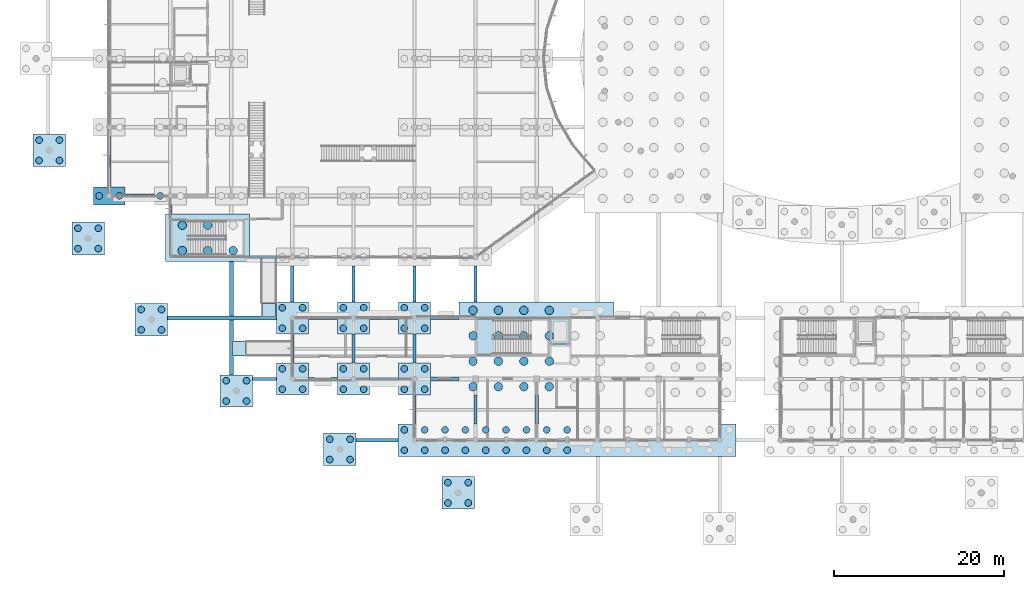
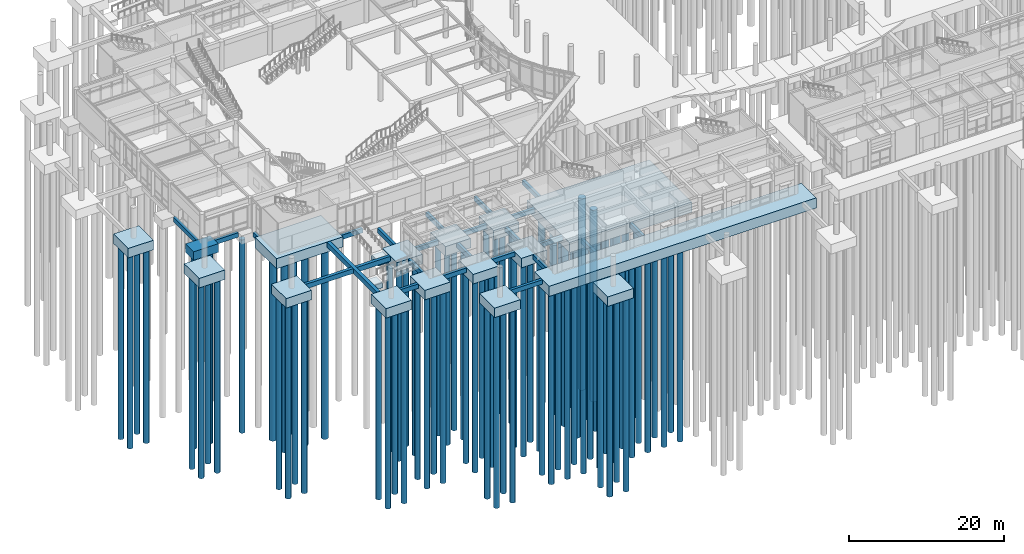
# One storey, part 1 of 103: 90 piles, 42 footings.
"""IFC4 building model written with IfcOpenShell, lengths in metres."""

from ifc_helpers import new_model, si_unit, direction, frame, origin, origin_2d, place, context, subcontext, project, spatial, rectangle, circle, extrude, material, layer, layer_set, material_profile, profile_set, type_object, element, save


model = new_model("IFC4")

# Units and contexts
model_context = context("Model", 3, precision=1e-05, world=origin(), true_north=direction((0.0, 1.0)))
body_context = subcontext(model_context, "Body", "Model", "MODEL_VIEW")
ifc_project = project(units=[si_unit("LENGTHUNIT", "METRE"), si_unit("AREAUNIT", "SQUARE_METRE"), si_unit("VOLUMEUNIT", "CUBIC_METRE"), si_unit("PLANEANGLEUNIT", "RADIAN"), si_unit("MASSUNIT", "GRAM", prefix="KILO")], contexts=[model_context])

# Site, building, storey
site_placement = place(None, origin())
site = spatial("IfcSite", under=ifc_project, at=site_placement, CompositionType="ELEMENT")
building_placement = place(site_placement, origin())
building = spatial("IfcBuilding", under=site, at=building_placement, Name="Namkhue Oval Health Centre", CompositionType="ELEMENT")
storey_placement = place(building_placement, origin())
storey = spatial("IfcBuildingStorey", under=building, at=storey_placement, Name="L00", CompositionType="ELEMENT", Elevation=0.0)

# Footings
ifc_material_1 = material(Name="Reinforced concrete C30/37 (TCVN B35)", Category="concrete")
ifc_layer_1 = layer(ifc_material_1, 1.60009765625)
ifc_layer_set_1 = layer_set([ifc_layer_1], Name="Reinforced concrete C30/37 (TCVN B35)")
footing_type_1 = type_object("IfcFootingType", Name="BORED PILE CAP 18250X11000X1600", PredefinedType="PILE_CAP", material=ifc_layer_set_1)
footing_1_placement = place(storey_placement, frame((64.800048828125, 25.199951171875, -1.885009765625), z_axis=(0.0, 0.0, 1.0), x_axis=(1.0, 0.0, 0.0)))
element("IfcFooting", 1, at=footing_1_placement, inside=storey, type_object=footing_type_1, Name="Reinforced Concrete Pile Cap 15", PredefinedType="PILE_CAP", context=body_context, shape_type="SweptSolid", body=[
    extrude(rectangle(XDim=18.25, YDim=11.0, at=origin_2d()), origin(), (0.0, 0.0, 1.0), 1.60009765625),
])
ifc_layer_2 = layer(ifc_material_1, 1.35009765625)
ifc_layer_set_2 = layer_set([ifc_layer_2], Name="Reinforced concrete C30/37 (TCVN B35)")
footing_type_2 = type_object("IfcFootingType", Name="BORED PILE CAP 3700X2100X1350", PredefinedType="PILE_CAP", material=ifc_layer_set_2)
footing_2_placement = place(storey_placement, frame((14.39990234375, 43.199951171875, -1.6201171875), z_axis=(0.0, 0.0, 1.0), x_axis=(1.0, 0.0, 0.0)))
element("IfcFooting", 2, at=footing_2_placement, inside=storey, type_object=footing_type_2, Name="Reinforced Concrete Pile Cap 45", PredefinedType="PILE_CAP", context=body_context, shape_type="SweptSolid", body=[
    extrude(rectangle(XDim=3.699951171875, YDim=2.10009765625, at=origin_2d()), origin(), (0.0, 0.0, 1.0), 1.35009765625),
])
ifc_layer_3 = layer(ifc_material_1, 1.5)
ifc_layer_set_3 = layer_set([ifc_layer_3], Name="Reinforced concrete C30/37 (TCVN B35)")
footing_type_3 = type_object("IfcFootingType", Name="BORED PILE CAP 3800X3800X1500", PredefinedType="PILE_CAP", material=ifc_layer_set_3)
for number, where, z_axis, x_axis, name in (
    (3, (29.37890625, 20.197998046875, -1.5), (0.0, 0.0, 1.0), (1.0, 0.0, 0.0), "Reinforced Concrete Pile Cap 10"),
    (4, (36.0, 21.60009765625, -1.784912109375), (0.0, 0.0, 1.0), (1.0, 0.0, 0.0), "Reinforced Concrete Pile Cap 12"),
    (5, (43.199951171875, 21.60009765625, -1.784912109375), (0.0, 0.0, 1.0), (1.0, 0.0, 0.0), "Reinforced Concrete Pile Cap 13"),
    (6, (50.39990234375, 21.60009765625, -1.784912109375), (0.0, 0.0, 1.0), (1.0, 0.0, 0.0), "Reinforced Concrete Pile Cap 14"),
    (7, (19.350341796875, 28.59912109375, -1.5), (0.0, 0.0, 1.0), (1.0, 0.0, 0.0), "Reinforced Concrete Pile Cap 21"),
    (8, (36.0, 28.800048828125, -1.784912109375), (0.0, 0.0, 1.0), (1.0, 0.0, 0.0), "Reinforced Concrete Pile Cap 23"),
    (9, (43.199951171875, 28.800048828125, -1.784912109375), (0.0, 0.0, 1.0), (1.0, 0.0, 0.0), "Reinforced Concrete Pile Cap 24"),
    (10, (50.39990234375, 28.800048828125, -1.784912109375), (0.0, 0.0, 1.0), (1.0, 0.0, 0.0), "Reinforced Concrete Pile Cap 25"),
    (11, (7.3095703125, 48.584228515625, -1.5), (0.0, 0.0, 1.0), (1.0, 0.0, 0.0), "Reinforced Concrete Pile Cap 55"),
):
    element("IfcFooting", number, at=place(storey_placement, frame(where, z_axis=z_axis, x_axis=x_axis)), inside=storey, type_object=footing_type_3, Name=name, PredefinedType="PILE_CAP", context=body_context, shape_type="SweptSolid", body=[
        extrude(rectangle(XDim=3.800048828125, YDim=3.800048828125, at=origin_2d()), origin(), (0.0, 0.0, 1.0), 1.5),
    ])
ifc_layer_4 = layer(ifc_material_1, 1.5)
ifc_layer_set_4 = layer_set([ifc_layer_4], Name="Reinforced concrete C30/37 (TCVN B35)")
footing_type_4 = type_object("IfcFootingType", Name="BORED PILE CAP 3850X3850X1500", PredefinedType="PILE_CAP", material=ifc_layer_set_4)
for number, where, z_axis, x_axis, name in (
    (12, (55.540283203125, 8.18017578125, -1.5), (0.0, 0.0, 1.0), (1.0, 0.0, 0.0), "Reinforced Concrete Pile Cap 4"),
    (13, (41.598876953125, 13.30322265625, -1.5), (0.0, 0.0, 1.0), (1.0, 0.0, 0.0), "Reinforced Concrete Pile Cap 6"),
    (14, (11.8984375, 38.18408203125, -1.5), (0.0, 0.0, 1.0), (1.0, 0.0, 0.0), "Reinforced Concrete Pile Cap 36"),
):
    element("IfcFooting", number, at=place(storey_placement, frame(where, z_axis=z_axis, x_axis=x_axis)), inside=storey, type_object=footing_type_4, Name=name, PredefinedType="PILE_CAP", context=body_context, shape_type="SweptSolid", body=[
        extrude(rectangle(XDim=3.85009765625, YDim=3.85009765625, at=origin_2d()), origin(), (0.0, 0.0, 1.0), 1.5),
    ])
ifc_layer_5 = layer(ifc_material_1, 1.60009765625)
ifc_layer_set_5 = layer_set([ifc_layer_5], Name="Reinforced concrete C30/37 (TCVN B35)")
footing_type_5 = type_object("IfcFootingType", Name="BORED PILE CAP 39850X3850X1600", PredefinedType="PILE_CAP", material=ifc_layer_set_5)
footing_3_placement = place(storey_placement, frame((68.39990234375, 14.39990234375, -1.885009765625), z_axis=(0.0, 0.0, 1.0), x_axis=(1.0, 0.0, 0.0)))
element("IfcFooting", 15, at=footing_3_placement, inside=storey, type_object=footing_type_5, Name="Reinforced Concrete Pile Cap 8", PredefinedType="PILE_CAP", context=body_context, shape_type="SweptSolid", body=[
    extrude(rectangle(XDim=39.85009765625, YDim=3.85009765625, at=origin_2d()), origin(), (0.0, 0.0, 1.0), 1.60009765625),
])
ifc_layer_6 = layer(ifc_material_1, 1.60009765625)
ifc_layer_set_6 = layer_set([ifc_layer_6], Name="Reinforced concrete C30/37 (TCVN B35)")
footing_type_6 = type_object("IfcFootingType", Name="BORED PILE CAP 9900X5600X1600", PredefinedType="PILE_CAP", material=ifc_layer_set_6)
footing_4_placement = place(storey_placement, frame((26.0, 38.25, -1.8701171875), z_axis=(0.0, 0.0, 1.0), x_axis=(1.0, 0.0, 0.0)))
element("IfcFooting", 16, at=footing_4_placement, inside=storey, type_object=footing_type_6, Name="Reinforced Concrete Pile Cap 35", PredefinedType="PILE_CAP", context=body_context, shape_type="SweptSolid", body=[
    extrude(rectangle(XDim=9.89990234375, YDim=5.60009765625, at=origin_2d()), origin(), (0.0, 0.0, 1.0), 1.60009765625),
])
footing_type_7 = type_object("IfcFootingType", Name="FOUNDATION GROUND BEAM 400X700", PredefinedType="FOOTING_BEAM", material=ifc_material_1)
footing_5_placement = place(storey_placement, frame((45.99951171875, 14.39990234375, -0.98486328125), z_axis=(0.0, 0.0, 1.0), x_axis=(1.0, 0.0, 0.0)))
element("IfcFooting", 17, at=footing_5_placement, inside=storey, type_object=footing_type_7, Name="Foundation Ground Tie Beam X-1", PredefinedType="FOOTING_BEAM", context=body_context, shape_type="SweptSolid", body=[
    extrude(rectangle(XDim=4.951171875, YDim=0.39990234375, at=origin_2d()), origin(), (0.0, 0.0, 1.0), 0.699951171875),
])
footing_6_placement = place(storey_placement, frame((32.689453125, 21.60009765625, -0.98486328125), z_axis=(0.0, 0.0, 1.0), x_axis=(1.0, 0.0, 0.0)))
element("IfcFooting", 18, at=footing_6_placement, inside=storey, type_object=footing_type_7, Name="Foundation Ground Tie Beam X-4", PredefinedType="FOOTING_BEAM", context=body_context, shape_type="SweptSolid", body=[
    extrude(rectangle(XDim=2.821044921875, YDim=0.39990234375, at=origin_2d()), origin(), (0.0, 0.0, 1.0), 0.699951171875),
])
for number, where, z_axis, x_axis, name in (
    (19, (39.60009765625, 21.60009765625, -0.98486328125), (0.0, 0.0, 1.0), (1.0, 0.0, 0.0), "Foundation Ground Tie Beam X-5"),
    (20, (46.800048828125, 21.60009765625, -0.98486328125), (0.0, 0.0, 1.0), (1.0, 0.0, 0.0), "Foundation Ground Tie Beam X-6"),
):
    element("IfcFooting", number, at=place(storey_placement, frame(where, z_axis=z_axis, x_axis=x_axis)), inside=storey, type_object=footing_type_7, Name=name, PredefinedType="FOOTING_BEAM", context=body_context, shape_type="SweptSolid", body=[
        extrude(rectangle(XDim=3.39990234375, YDim=0.39990234375, at=origin_2d()), origin(), (0.0, 0.0, 1.0), 0.699951171875),
    ])
footing_7_placement = place(storey_placement, frame((53.987548828125, 21.60009765625, -0.98486328125), z_axis=(0.0, 0.0, 1.0), x_axis=(1.0, 0.0, 0.0)))
element("IfcFooting", 21, at=footing_7_placement, inside=storey, type_object=footing_type_7, Name="Foundation Ground Tie Beam X-7", PredefinedType="FOOTING_BEAM", context=body_context, shape_type="SweptSolid", body=[
    extrude(rectangle(XDim=3.375, YDim=0.39990234375, at=origin_2d()), origin(), (0.0, 0.0, 1.0), 0.699951171875),
])
for number, where, z_axis, x_axis, name in (
    (22, (39.60009765625, 28.800048828125, -0.98486328125), (0.0, 0.0, 1.0), (1.0, 0.0, 0.0), "Foundation Ground Tie Beam X-15"),
    (23, (46.800048828125, 28.800048828125, -0.98486328125), (0.0, 0.0, 1.0), (1.0, 0.0, 0.0), "Foundation Ground Tie Beam X-16"),
):
    element("IfcFooting", number, at=place(storey_placement, frame(where, z_axis=z_axis, x_axis=x_axis)), inside=storey, type_object=footing_type_7, Name=name, PredefinedType="FOOTING_BEAM", context=body_context, shape_type="SweptSolid", body=[
        extrude(rectangle(XDim=3.39990234375, YDim=0.39990234375, at=origin_2d()), origin(), (0.0, 0.0, 1.0), 0.699951171875),
    ])
footing_8_placement = place(storey_placement, frame((53.987548828125, 28.800048828125, -0.98486328125), z_axis=(0.0, 0.0, 1.0), x_axis=(1.0, 0.0, 0.0)))
element("IfcFooting", 24, at=footing_8_placement, inside=storey, type_object=footing_type_7, Name="Foundation Ground Tie Beam X-17", PredefinedType="FOOTING_BEAM", context=body_context, shape_type="SweptSolid", body=[
    extrude(rectangle(XDim=3.375, YDim=0.39990234375, at=origin_2d()), origin(), (0.0, 0.0, 1.0), 0.699951171875),
])
footing_9_placement = place(storey_placement, frame((32.53759765625, 36.0, -0.97021484375), z_axis=(0.0, 0.0, 1.0), x_axis=(1.0, 0.0, 0.0)))
element("IfcFooting", 25, at=footing_9_placement, inside=storey, type_object=footing_type_7, Name="Foundation Ground Tie Beam X-24", PredefinedType="FOOTING_BEAM", context=body_context, shape_type="SweptSolid", body=[
    extrude(rectangle(XDim=3.175048828125, YDim=0.39990234375, at=origin_2d()), origin(), (0.0, 0.0, 1.0), 0.699951171875),
])
footing_10_placement = place(storey_placement, frame((17.987548828125, 43.199951171875, -0.97021484375), z_axis=(0.0, 0.0, 1.0), x_axis=(1.0, 0.0, 0.0)))
element("IfcFooting", 26, at=footing_10_placement, inside=storey, type_object=footing_type_7, Name="Foundation Ground Tie Beam X-30", PredefinedType="FOOTING_BEAM", context=body_context, shape_type="SweptSolid", body=[
    extrude(rectangle(XDim=3.47509765625, YDim=0.39990234375, at=origin_2d()), origin(), (0.0, 0.0, 1.0), 0.699951171875),
])
footing_11_placement = place(storey_placement, frame((14.39990234375, 47.25, -0.97021484375), z_axis=(0.0, 0.0, 1.0), x_axis=(0.0, 1.0, 0.0)))
element("IfcFooting", 27, at=footing_11_placement, inside=storey, type_object=footing_type_7, Name="Foundation Ground Tie Beam Y-103", PredefinedType="FOOTING_BEAM", context=body_context, shape_type="SweptSolid", body=[
    extrude(rectangle(XDim=6.0, YDim=0.39990234375, at=origin_2d()), origin(), (0.0, 0.0, 1.0), 0.699951171875),
])
footing_12_placement = place(storey_placement, frame((21.60009765625, 41.60009765625, -0.97021484375), z_axis=(0.0, 0.0, 1.0), x_axis=(0.0, 1.0, 0.0)))
element("IfcFooting", 28, at=footing_12_placement, inside=storey, type_object=footing_type_7, Name="Foundation Ground Tie Beam Y-107", PredefinedType="FOOTING_BEAM", context=body_context, shape_type="SweptSolid", body=[
    extrude(rectangle(XDim=1.10009765625, YDim=0.39990234375, at=origin_2d()), origin(), (0.0, 0.0, 1.0), 0.699951171875),
])
footing_13_placement = place(storey_placement, frame((36.0, 25.199951171875, -0.98486328125), z_axis=(0.0, 0.0, 1.0), x_axis=(0.0, 1.0, 0.0)))
element("IfcFooting", 29, at=footing_13_placement, inside=storey, type_object=footing_type_7, Name="Foundation Ground Tie Beam Y-121", PredefinedType="FOOTING_BEAM", context=body_context, shape_type="SweptSolid", body=[
    extrude(rectangle(XDim=3.39990234375, YDim=0.39990234375, at=origin_2d()), origin(), (0.0, 0.0, 1.0), 0.699951171875),
])
footing_14_placement = place(storey_placement, frame((36.0, 32.824951171875, -0.98486328125), z_axis=(0.0, 0.0, 1.0), x_axis=(0.0, 1.0, 0.0)))
element("IfcFooting", 30, at=footing_14_placement, inside=storey, type_object=footing_type_7, Name="Foundation Ground Tie Beam Y-122", PredefinedType="FOOTING_BEAM", context=body_context, shape_type="SweptSolid", body=[
    extrude(rectangle(XDim=4.25, YDim=0.39990234375, at=origin_2d()), origin(), (0.0, 0.0, 1.0), 0.699951171875),
])
footing_15_placement = place(storey_placement, frame((43.199951171875, 25.199951171875, -0.98486328125), z_axis=(0.0, 0.0, 1.0), x_axis=(0.0, 1.0, 0.0)))
element("IfcFooting", 31, at=footing_15_placement, inside=storey, type_object=footing_type_7, Name="Foundation Ground Tie Beam Y-127", PredefinedType="FOOTING_BEAM", context=body_context, shape_type="SweptSolid", body=[
    extrude(rectangle(XDim=3.39990234375, YDim=0.39990234375, at=origin_2d()), origin(), (0.0, 0.0, 1.0), 0.699951171875),
])
footing_16_placement = place(storey_placement, frame((43.199951171875, 32.824951171875, -0.98486328125), z_axis=(0.0, 0.0, 1.0), x_axis=(0.0, 1.0, 0.0)))
element("IfcFooting", 32, at=footing_16_placement, inside=storey, type_object=footing_type_7, Name="Foundation Ground Tie Beam Y-128", PredefinedType="FOOTING_BEAM", context=body_context, shape_type="SweptSolid", body=[
    extrude(rectangle(XDim=4.25, YDim=0.39990234375, at=origin_2d()), origin(), (0.0, 0.0, 1.0), 0.699951171875),
])
footing_17_placement = place(storey_placement, frame((50.39990234375, 18.012451171875, -0.98486328125), z_axis=(0.0, 0.0, 1.0), x_axis=(0.0, 1.0, 0.0)))
element("IfcFooting", 33, at=footing_17_placement, inside=storey, type_object=footing_type_7, Name="Foundation Ground Tie Beam Y-133", PredefinedType="FOOTING_BEAM", context=body_context, shape_type="SweptSolid", body=[
    extrude(rectangle(XDim=3.375, YDim=0.39990234375, at=origin_2d()), origin(), (0.0, 0.0, 1.0), 0.699951171875),
])
footing_18_placement = place(storey_placement, frame((50.39990234375, 25.199951171875, -0.98486328125), z_axis=(0.0, 0.0, 1.0), x_axis=(0.0, 1.0, 0.0)))
element("IfcFooting", 34, at=footing_18_placement, inside=storey, type_object=footing_type_7, Name="Foundation Ground Tie Beam Y-134", PredefinedType="FOOTING_BEAM", context=body_context, shape_type="SweptSolid", body=[
    extrude(rectangle(XDim=3.39990234375, YDim=0.39990234375, at=origin_2d()), origin(), (0.0, 0.0, 1.0), 0.699951171875),
])
footing_19_placement = place(storey_placement, frame((50.39990234375, 32.824951171875, -0.98486328125), z_axis=(0.0, 0.0, 1.0), x_axis=(0.0, 1.0, 0.0)))
element("IfcFooting", 35, at=footing_19_placement, inside=storey, type_object=footing_type_7, Name="Foundation Ground Tie Beam Y-135", PredefinedType="FOOTING_BEAM", context=body_context, shape_type="SweptSolid", body=[
    extrude(rectangle(XDim=4.25, YDim=0.39990234375, at=origin_2d()), origin(), (0.0, 0.0, 1.0), 0.699951171875),
])
footing_20_placement = place(storey_placement, frame((57.60009765625, 18.012451171875, -0.98486328125), z_axis=(0.0, 0.0, 1.0), x_axis=(0.0, 1.0, 0.0)))
element("IfcFooting", 36, at=footing_20_placement, inside=storey, type_object=footing_type_7, Name="Foundation Ground Tie Beam Y-145", PredefinedType="FOOTING_BEAM", context=body_context, shape_type="SweptSolid", body=[
    extrude(rectangle(XDim=3.375, YDim=0.39990234375, at=origin_2d()), origin(), (0.0, 0.0, 1.0), 0.699951171875),
])
footing_21_placement = place(storey_placement, frame((57.60009765625, 32.824951171875, -0.98486328125), z_axis=(0.0, 0.0, 1.0), x_axis=(0.0, 1.0, 0.0)))
element("IfcFooting", 37, at=footing_21_placement, inside=storey, type_object=footing_type_7, Name="Foundation Ground Tie Beam Y-146", PredefinedType="FOOTING_BEAM", context=body_context, shape_type="SweptSolid", body=[
    extrude(rectangle(XDim=4.25, YDim=0.39990234375, at=origin_2d()), origin(), (0.0, 0.0, 1.0), 0.699951171875),
])
footing_22_placement = place(storey_placement, frame((64.800048828125, 18.012451171875, -0.98486328125), z_axis=(0.0, 0.0, 1.0), x_axis=(0.0, 1.0, 0.0)))
element("IfcFooting", 38, at=footing_22_placement, inside=storey, type_object=footing_type_7, Name="Foundation Ground Tie Beam Y-155", PredefinedType="FOOTING_BEAM", context=body_context, shape_type="SweptSolid", body=[
    extrude(rectangle(XDim=3.375, YDim=0.39990234375, at=origin_2d()), origin(), (0.0, 0.0, 1.0), 0.699951171875),
])
footing_type_8 = type_object("IfcFootingType", Name="FOUNDATION GROUND BEAM 450X750", PredefinedType="FOOTING_BEAM", material=ifc_material_1)
footing_23_placement = place(storey_placement, frame((27.67529296875, 28.800048828125, -1.034912109375), z_axis=(0.0, 0.0, 1.0), x_axis=(1.0, 0.0, 0.0)))
element("IfcFooting", 39, at=footing_23_placement, inside=storey, type_object=footing_type_8, Name="Foundation Ground Tie Beam X-14", PredefinedType="FOOTING_BEAM", context=body_context, shape_type="SweptSolid", body=[
    extrude(rectangle(XDim=12.849609375, YDim=0.449951171875, at=origin_2d()), origin(), (0.0, 0.0, 1.0), 0.75),
])
footing_type_9 = type_object("IfcFootingType", Name="FOUNDATION GROUND BEAM 500X800", PredefinedType="FOOTING_BEAM", material=ifc_material_1)
footing_24_placement = place(storey_placement, frame((28.800048828125, 28.77392578125, -1.06982421875), z_axis=(0.0, 0.0, 1.0), x_axis=(0.0, 1.0, 0.0)))
element("IfcFooting", 40, at=footing_24_placement, inside=storey, type_object=footing_type_9, Name="Foundation Ground Tie Beam Y-113", PredefinedType="FOOTING_BEAM", context=body_context, shape_type="SweptSolid", body=[
    extrude(rectangle(XDim=13.35205078125, YDim=0.5, at=origin_2d()), origin(), (0.0, 0.0, 1.0), 0.800048828125),
])
ifc_layer_7 = layer(ifc_material_1, 0.800048828125)
ifc_layer_set_7 = layer_set([ifc_layer_7], Name="Reinforced concrete C30/37 (TCVN B35)")
footing_type_10 = type_object("IfcFootingType", Name="RAMP PAD FOOTING 1600X1600X800", PredefinedType="PAD_FOOTING", material=ifc_layer_set_7)
for number, where, z_axis, x_axis, name in (
    (41, (33.199951171875, 29.699951171875, -1.4501953125), (0.0, 0.0, 1.0), (0.0, 1.0, 0.0), "Waiting Hall South Pharmacy Ramp Foundation Pad"),
    (42, (29.699951171875, 25.199951171875, -1.4501953125), (0.0, 0.0, 1.0), (1.0, 0.0, 0.0), "Emergency Triage West Arrival Ramp Foundation Pad"),
):
    element("IfcFooting", number, at=place(storey_placement, frame(where, z_axis=z_axis, x_axis=x_axis)), inside=storey, type_object=footing_type_10, Name=name, PredefinedType="PAD_FOOTING", context=body_context, shape_type="SweptSolid", body=[
        extrude(rectangle(XDim=1.60009765625, YDim=1.60009765625, at=origin_2d()), origin(), (0.0, 0.0, 1.0), 0.800048828125),
    ])

# Piles
ifc_material_2 = material(Name="Reinforced concrete C25/30 (TCVN B30)", Category="concrete")
ifc_material_profile_1 = material_profile(ifc_material_2, circle(Radius=0.5, at=origin_2d()), Name="BORED PILE D1000")
ifc_profile_set_1 = profile_set([ifc_material_profile_1], Name="Reinforced concrete C25/30 (TCVN B30)")
pile_type_1 = type_object("IfcPileType", Name="RC BORED PILE D1000", PredefinedType="BORED", material=ifc_profile_set_1)
for number, where, z_axis, x_axis, name in (
    (43, (57.300048828125, 20.699951171875, -1.764892578125), (0.0, 0.0, -1.0), (1.0, 0.0, 0.0), "Bored Pile 15-1.1"),
    (44, (57.300048828125, 23.699951171875, -1.764892578125), (0.0, 0.0, -1.0), (1.0, 0.0, 0.0), "Bored Pile 15-1.2"),
    (45, (57.300048828125, 26.699951171875, -1.764892578125), (0.0, 0.0, -1.0), (1.0, 0.0, 0.0), "Bored Pile 15-1.3"),
    (46, (57.300048828125, 29.699951171875, -1.764892578125), (0.0, 0.0, -1.0), (1.0, 0.0, 0.0), "Bored Pile 15-1.4"),
    (47, (60.300048828125, 20.699951171875, -1.764892578125), (0.0, 0.0, -1.0), (1.0, 0.0, 0.0), "Bored Pile 15-2.1"),
    (48, (60.300048828125, 23.699951171875, -1.764892578125), (0.0, 0.0, -1.0), (1.0, 0.0, 0.0), "Bored Pile 15-2.2"),
    (49, (60.300048828125, 26.699951171875, -1.764892578125), (0.0, 0.0, -1.0), (1.0, 0.0, 0.0), "Bored Pile 15-2.3"),
    (50, (60.300048828125, 29.699951171875, -1.764892578125), (0.0, 0.0, -1.0), (1.0, 0.0, 0.0), "Bored Pile 15-2.4"),
    (51, (63.300048828125, 20.699951171875, -1.764892578125), (0.0, 0.0, -1.0), (1.0, 0.0, 0.0), "Bored Pile 15-3.1"),
    (52, (63.300048828125, 23.699951171875, -1.764892578125), (0.0, 0.0, -1.0), (1.0, 0.0, 0.0), "Bored Pile 15-3.2"),
    (53, (63.300048828125, 26.699951171875, -1.764892578125), (0.0, 0.0, -1.0), (1.0, 0.0, 0.0), "Bored Pile 15-3.3"),
    (54, (63.300048828125, 29.699951171875, -1.764892578125), (0.0, 0.0, -1.0), (1.0, 0.0, 0.0), "Bored Pile 15-3.4"),
    (55, (66.300048828125, 20.699951171875, -1.764892578125), (0.0, 0.0, -1.0), (1.0, 0.0, 0.0), "Bored Pile 15-4.1"),
    (56, (66.300048828125, 23.699951171875, -1.764892578125), (0.0, 0.0, -1.0), (1.0, 0.0, 0.0), "Bored Pile 15-4.2"),
    (57, (66.300048828125, 26.699951171875, -1.764892578125), (0.0, 0.0, -1.0), (1.0, 0.0, 0.0), "Bored Pile 15-4.3"),
    (58, (66.300048828125, 29.699951171875, -1.764892578125), (0.0, 0.0, -1.0), (1.0, 0.0, 0.0), "Bored Pile 15-4.4"),
):
    element("IfcPile", number, at=place(storey_placement, frame(where, z_axis=z_axis, x_axis=x_axis)), inside=storey, type_object=pile_type_1, Name=name, PredefinedType="BORED", context=body_context, shape_type="SweptSolid", body=[
        extrude(circle(Radius=0.5, at=origin_2d()), origin(), (0.0, 0.0, 1.0), 30.235107421875),
    ])
for number, where, z_axis, x_axis, name in (
    (59, (23.0, 36.75, -1.75), (0.0, 0.0, -1.0), (1.0, 0.0, 0.0), "Bored Pile 35-1.1"),
    (60, (23.0, 39.75, -1.75), (0.0, 0.0, -1.0), (1.0, 0.0, 0.0), "Bored Pile 35-1.2"),
    (61, (26.0, 36.75, -1.75), (0.0, 0.0, -1.0), (1.0, 0.0, 0.0), "Bored Pile 35-2.1"),
    (62, (26.0, 39.75, -1.75), (0.0, 0.0, -1.0), (1.0, 0.0, 0.0), "Bored Pile 35-2.2"),
    (63, (29.0, 36.75, -1.75), (0.0, 0.0, -1.0), (1.0, 0.0, 0.0), "Bored Pile 35-3.1"),
):
    element("IfcPile", number, at=place(storey_placement, frame(where, z_axis=z_axis, x_axis=x_axis)), inside=storey, type_object=pile_type_1, Name=name, PredefinedType="BORED", context=body_context, shape_type="SweptSolid", body=[
        extrude(circle(Radius=0.5, at=origin_2d()), origin(), (0.0, 0.0, 1.0), 30.25),
    ])
ifc_material_profile_2 = material_profile(ifc_material_2, circle(Radius=0.39990234375, at=origin_2d()), Name="BORED PILE D800")
ifc_profile_set_2 = profile_set([ifc_material_profile_2], Name="Reinforced concrete C25/30 (TCVN B30)")
pile_type_2 = type_object("IfcPileType", Name="RC BORED PILE D800", PredefinedType="BORED", material=ifc_profile_set_2)
for number, where, z_axis, x_axis, name in (
    (64, (54.34033203125, 6.97998046875, -1.3798828125), (0.0, 0.0, -1.0), (1.0, 0.0, 0.0), "Bored Pile 4-1.1"),
    (65, (54.34033203125, 9.380126953125, -1.3798828125), (0.0, 0.0, -1.0), (1.0, 0.0, 0.0), "Bored Pile 4-1.2"),
    (66, (56.740478515625, 6.97998046875, -1.3798828125), (0.0, 0.0, -1.0), (1.0, 0.0, 0.0), "Bored Pile 4-2.1"),
    (67, (56.740478515625, 9.380126953125, -1.3798828125), (0.0, 0.0, -1.0), (1.0, 0.0, 0.0), "Bored Pile 4-2.2"),
    (68, (40.398681640625, 12.103271484375, -1.3798828125), (0.0, 0.0, -1.0), (1.0, 0.0, 0.0), "Bored Pile 6-1.1"),
    (69, (40.398681640625, 14.50341796875, -1.3798828125), (0.0, 0.0, -1.0), (1.0, 0.0, 0.0), "Bored Pile 6-1.2"),
    (70, (42.798828125, 12.103271484375, -1.3798828125), (0.0, 0.0, -1.0), (1.0, 0.0, 0.0), "Bored Pile 6-2.1"),
    (71, (42.798828125, 14.50341796875, -1.3798828125), (0.0, 0.0, -1.0), (1.0, 0.0, 0.0), "Bored Pile 6-2.2"),
):
    element("IfcPile", number, at=place(storey_placement, frame(where, z_axis=z_axis, x_axis=x_axis)), inside=storey, type_object=pile_type_2, Name=name, PredefinedType="BORED", context=body_context, shape_type="SweptSolid", body=[
        extrude(circle(Radius=0.39990234375, at=origin_2d()), origin(), (0.0, 0.0, 1.0), 30.6201171875),
    ])
for number, where, z_axis, x_axis, name in (
    (72, (49.199951171875, 13.199951171875, -1.764892578125), (0.0, 0.0, -1.0), (1.0, 0.0, 0.0), "Bored Pile 8-1.1"),
    (73, (49.199951171875, 15.60009765625, -1.764892578125), (0.0, 0.0, -1.0), (1.0, 0.0, 0.0), "Bored Pile 8-1.2"),
    (74, (51.60009765625, 13.199951171875, -1.764892578125), (0.0, 0.0, -1.0), (1.0, 0.0, 0.0), "Bored Pile 8-2.1"),
    (75, (51.60009765625, 15.60009765625, -1.764892578125), (0.0, 0.0, -1.0), (1.0, 0.0, 0.0), "Bored Pile 8-2.2"),
    (76, (54.0, 13.199951171875, -1.764892578125), (0.0, 0.0, -1.0), (1.0, 0.0, 0.0), "Bored Pile 8-3.1"),
    (77, (54.0, 15.60009765625, -1.764892578125), (0.0, 0.0, -1.0), (1.0, 0.0, 0.0), "Bored Pile 8-3.2"),
    (78, (56.39990234375, 13.199951171875, -1.764892578125), (0.0, 0.0, -1.0), (1.0, 0.0, 0.0), "Bored Pile 8-4.1"),
    (79, (56.39990234375, 15.60009765625, -1.764892578125), (0.0, 0.0, -1.0), (1.0, 0.0, 0.0), "Bored Pile 8-4.2"),
    (80, (58.800048828125, 13.199951171875, -1.764892578125), (0.0, 0.0, -1.0), (1.0, 0.0, 0.0), "Bored Pile 8-5.1"),
    (81, (58.800048828125, 15.60009765625, -1.764892578125), (0.0, 0.0, -1.0), (1.0, 0.0, 0.0), "Bored Pile 8-5.2"),
    (82, (61.199951171875, 13.199951171875, -1.764892578125), (0.0, 0.0, -1.0), (1.0, 0.0, 0.0), "Bored Pile 8-6.1"),
    (83, (61.199951171875, 15.60009765625, -1.764892578125), (0.0, 0.0, -1.0), (1.0, 0.0, 0.0), "Bored Pile 8-6.2"),
    (84, (63.60009765625, 13.199951171875, -1.764892578125), (0.0, 0.0, -1.0), (1.0, 0.0, 0.0), "Bored Pile 8-7.1"),
    (85, (63.60009765625, 15.60009765625, -1.764892578125), (0.0, 0.0, -1.0), (1.0, 0.0, 0.0), "Bored Pile 8-7.2"),
    (86, (66.0, 13.199951171875, -1.764892578125), (0.0, 0.0, -1.0), (1.0, 0.0, 0.0), "Bored Pile 8-8.1"),
    (87, (66.0, 15.60009765625, -1.764892578125), (0.0, 0.0, -1.0), (1.0, 0.0, 0.0), "Bored Pile 8-8.2"),
    (88, (68.39990234375, 13.199951171875, -1.764892578125), (0.0, 0.0, -1.0), (1.0, 0.0, 0.0), "Bored Pile 8-9.1"),
    (89, (68.39990234375, 15.60009765625, -1.764892578125), (0.0, 0.0, -1.0), (1.0, 0.0, 0.0), "Bored Pile 8-9.2"),
):
    element("IfcPile", number, at=place(storey_placement, frame(where, z_axis=z_axis, x_axis=x_axis)), inside=storey, type_object=pile_type_2, Name=name, PredefinedType="BORED", context=body_context, shape_type="SweptSolid", body=[
        extrude(circle(Radius=0.39990234375, at=origin_2d()), origin(), (0.0, 0.0, 1.0), 30.235107421875),
    ])
for number, where, z_axis, x_axis, name in (
    (90, (28.178955078125, 18.998046875, -1.3798828125), (0.0, 0.0, -1.0), (1.0, 0.0, 0.0), "Bored Pile 10-1.1"),
    (91, (28.178955078125, 21.39794921875, -1.3798828125), (0.0, 0.0, -1.0), (1.0, 0.0, 0.0), "Bored Pile 10-1.2"),
    (92, (30.578857421875, 18.998046875, -1.3798828125), (0.0, 0.0, -1.0), (1.0, 0.0, 0.0), "Bored Pile 10-2.1"),
    (93, (30.578857421875, 21.39794921875, -1.3798828125), (0.0, 0.0, -1.0), (1.0, 0.0, 0.0), "Bored Pile 10-2.2"),
):
    element("IfcPile", number, at=place(storey_placement, frame(where, z_axis=z_axis, x_axis=x_axis)), inside=storey, type_object=pile_type_2, Name=name, PredefinedType="BORED", context=body_context, shape_type="SweptSolid", body=[
        extrude(circle(Radius=0.39990234375, at=origin_2d()), origin(), (0.0, 0.0, 1.0), 30.6201171875),
    ])
for number, where, z_axis, x_axis, name in (
    (94, (34.800048828125, 20.39990234375, -1.6650390625), (0.0, 0.0, -1.0), (1.0, 0.0, 0.0), "Bored Pile 12-1.1"),
    (95, (34.800048828125, 22.800048828125, -1.6650390625), (0.0, 0.0, -1.0), (1.0, 0.0, 0.0), "Bored Pile 12-1.2"),
    (96, (37.199951171875, 20.39990234375, -1.6650390625), (0.0, 0.0, -1.0), (1.0, 0.0, 0.0), "Bored Pile 12-2.1"),
    (97, (37.199951171875, 22.800048828125, -1.6650390625), (0.0, 0.0, -1.0), (1.0, 0.0, 0.0), "Bored Pile 12-2.2"),
    (98, (42.0, 20.39990234375, -1.6650390625), (0.0, 0.0, -1.0), (1.0, 0.0, 0.0), "Bored Pile 13-1.1"),
    (99, (42.0, 22.800048828125, -1.6650390625), (0.0, 0.0, -1.0), (1.0, 0.0, 0.0), "Bored Pile 13-1.2"),
    (100, (44.39990234375, 20.39990234375, -1.6650390625), (0.0, 0.0, -1.0), (1.0, 0.0, 0.0), "Bored Pile 13-2.1"),
    (101, (44.39990234375, 22.800048828125, -1.6650390625), (0.0, 0.0, -1.0), (1.0, 0.0, 0.0), "Bored Pile 13-2.2"),
    (102, (49.199951171875, 20.39990234375, -1.6650390625), (0.0, 0.0, -1.0), (1.0, 0.0, 0.0), "Bored Pile 14-1.1"),
    (103, (49.199951171875, 22.800048828125, -1.6650390625), (0.0, 0.0, -1.0), (1.0, 0.0, 0.0), "Bored Pile 14-1.2"),
    (104, (51.60009765625, 20.39990234375, -1.6650390625), (0.0, 0.0, -1.0), (1.0, 0.0, 0.0), "Bored Pile 14-2.1"),
    (105, (51.60009765625, 22.800048828125, -1.6650390625), (0.0, 0.0, -1.0), (1.0, 0.0, 0.0), "Bored Pile 14-2.2"),
):
    element("IfcPile", number, at=place(storey_placement, frame(where, z_axis=z_axis, x_axis=x_axis)), inside=storey, type_object=pile_type_2, Name=name, PredefinedType="BORED", context=body_context, shape_type="SweptSolid", body=[
        extrude(circle(Radius=0.39990234375, at=origin_2d()), origin(), (0.0, 0.0, 1.0), 30.3349609375),
    ])
for number, where, z_axis, x_axis, name in (
    (106, (18.150390625, 27.399169921875, -1.3798828125), (0.0, 0.0, -1.0), (1.0, 0.0, 0.0), "Bored Pile 21-1.1"),
    (107, (18.150390625, 29.79931640625, -1.3798828125), (0.0, 0.0, -1.0), (1.0, 0.0, 0.0), "Bored Pile 21-1.2"),
    (108, (20.55029296875, 27.399169921875, -1.3798828125), (0.0, 0.0, -1.0), (1.0, 0.0, 0.0), "Bored Pile 21-2.1"),
    (109, (20.55029296875, 29.79931640625, -1.3798828125), (0.0, 0.0, -1.0), (1.0, 0.0, 0.0), "Bored Pile 21-2.2"),
):
    element("IfcPile", number, at=place(storey_placement, frame(where, z_axis=z_axis, x_axis=x_axis)), inside=storey, type_object=pile_type_2, Name=name, PredefinedType="BORED", context=body_context, shape_type="SweptSolid", body=[
        extrude(circle(Radius=0.39990234375, at=origin_2d()), origin(), (0.0, 0.0, 1.0), 30.6201171875),
    ])
for number, where, z_axis, x_axis, name in (
    (110, (34.800048828125, 27.60009765625, -1.6650390625), (0.0, 0.0, -1.0), (1.0, 0.0, 0.0), "Bored Pile 23-1.1"),
    (111, (34.800048828125, 30.0, -1.6650390625), (0.0, 0.0, -1.0), (1.0, 0.0, 0.0), "Bored Pile 23-1.2"),
    (112, (37.199951171875, 27.60009765625, -1.6650390625), (0.0, 0.0, -1.0), (1.0, 0.0, 0.0), "Bored Pile 23-2.1"),
    (113, (37.199951171875, 30.0, -1.6650390625), (0.0, 0.0, -1.0), (1.0, 0.0, 0.0), "Bored Pile 23-2.2"),
    (114, (42.0, 27.60009765625, -1.6650390625), (0.0, 0.0, -1.0), (1.0, 0.0, 0.0), "Bored Pile 24-1.1"),
    (115, (42.0, 30.0, -1.6650390625), (0.0, 0.0, -1.0), (1.0, 0.0, 0.0), "Bored Pile 24-1.2"),
    (116, (44.39990234375, 27.60009765625, -1.6650390625), (0.0, 0.0, -1.0), (1.0, 0.0, 0.0), "Bored Pile 24-2.1"),
    (117, (44.39990234375, 30.0, -1.6650390625), (0.0, 0.0, -1.0), (1.0, 0.0, 0.0), "Bored Pile 24-2.2"),
    (118, (49.199951171875, 27.60009765625, -1.6650390625), (0.0, 0.0, -1.0), (1.0, 0.0, 0.0), "Bored Pile 25-1.1"),
    (119, (49.199951171875, 30.0, -1.6650390625), (0.0, 0.0, -1.0), (1.0, 0.0, 0.0), "Bored Pile 25-1.2"),
    (120, (51.60009765625, 27.60009765625, -1.6650390625), (0.0, 0.0, -1.0), (1.0, 0.0, 0.0), "Bored Pile 25-2.1"),
    (121, (51.60009765625, 30.0, -1.6650390625), (0.0, 0.0, -1.0), (1.0, 0.0, 0.0), "Bored Pile 25-2.2"),
):
    element("IfcPile", number, at=place(storey_placement, frame(where, z_axis=z_axis, x_axis=x_axis)), inside=storey, type_object=pile_type_2, Name=name, PredefinedType="BORED", context=body_context, shape_type="SweptSolid", body=[
        extrude(circle(Radius=0.39990234375, at=origin_2d()), origin(), (0.0, 0.0, 1.0), 30.3349609375),
    ])
for number, where, z_axis, x_axis, name in (
    (122, (10.698486328125, 36.98388671875, -1.3798828125), (0.0, 0.0, -1.0), (1.0, 0.0, 0.0), "Bored Pile 36-1.1"),
    (123, (10.698486328125, 39.384033203125, -1.3798828125), (0.0, 0.0, -1.0), (1.0, 0.0, 0.0), "Bored Pile 36-1.2"),
    (124, (13.098388671875, 36.98388671875, -1.3798828125), (0.0, 0.0, -1.0), (1.0, 0.0, 0.0), "Bored Pile 36-2.1"),
    (125, (13.098388671875, 39.384033203125, -1.3798828125), (0.0, 0.0, -1.0), (1.0, 0.0, 0.0), "Bored Pile 36-2.2"),
):
    element("IfcPile", number, at=place(storey_placement, frame(where, z_axis=z_axis, x_axis=x_axis)), inside=storey, type_object=pile_type_2, Name=name, PredefinedType="BORED", context=body_context, shape_type="SweptSolid", body=[
        extrude(circle(Radius=0.39990234375, at=origin_2d()), origin(), (0.0, 0.0, 1.0), 30.6201171875),
    ])
for number, where, z_axis, x_axis, name in (
    (126, (13.199951171875, 43.199951171875, -1.5), (0.0, 0.0, -1.0), (1.0, 0.0, 0.0), "Bored Pile 45-1.1"),
    (127, (15.60009765625, 43.199951171875, -1.5), (0.0, 0.0, -1.0), (1.0, 0.0, 0.0), "Bored Pile 45-2.1"),
    (128, (20.39990234375, 43.199951171875, -1.5), (0.0, 0.0, -1.0), (1.0, 0.0, 0.0), "Bored Pile 46-1.1"),
):
    element("IfcPile", number, at=place(storey_placement, frame(where, z_axis=z_axis, x_axis=x_axis)), inside=storey, type_object=pile_type_2, Name=name, PredefinedType="BORED", context=body_context, shape_type="SweptSolid", body=[
        extrude(circle(Radius=0.39990234375, at=origin_2d()), origin(), (0.0, 0.0, 1.0), 30.5),
    ])
for number, where, z_axis, x_axis, name in (
    (129, (6.109619140625, 47.38427734375, -1.3798828125), (0.0, 0.0, -1.0), (1.0, 0.0, 0.0), "Bored Pile 55-1.1"),
    (130, (6.109619140625, 49.7841796875, -1.3798828125), (0.0, 0.0, -1.0), (1.0, 0.0, 0.0), "Bored Pile 55-1.2"),
    (131, (8.509521484375, 47.38427734375, -1.3798828125), (0.0, 0.0, -1.0), (1.0, 0.0, 0.0), "Bored Pile 55-2.1"),
    (132, (8.509521484375, 49.7841796875, -1.3798828125), (0.0, 0.0, -1.0), (1.0, 0.0, 0.0), "Bored Pile 55-2.2"),
):
    element("IfcPile", number, at=place(storey_placement, frame(where, z_axis=z_axis, x_axis=x_axis)), inside=storey, type_object=pile_type_2, Name=name, PredefinedType="BORED", context=body_context, shape_type="SweptSolid", body=[
        extrude(circle(Radius=0.39990234375, at=origin_2d()), origin(), (0.0, 0.0, 1.0), 30.6201171875),
    ])

save(model, "model.ifc")
